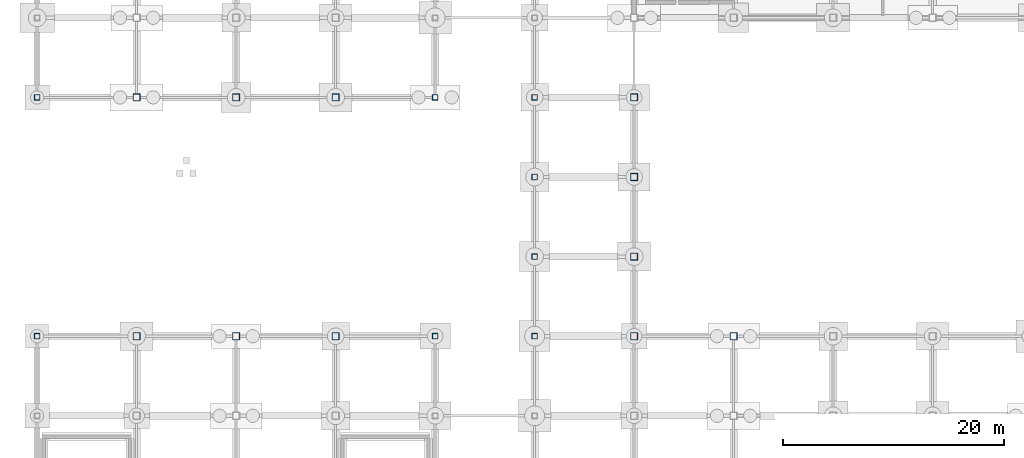
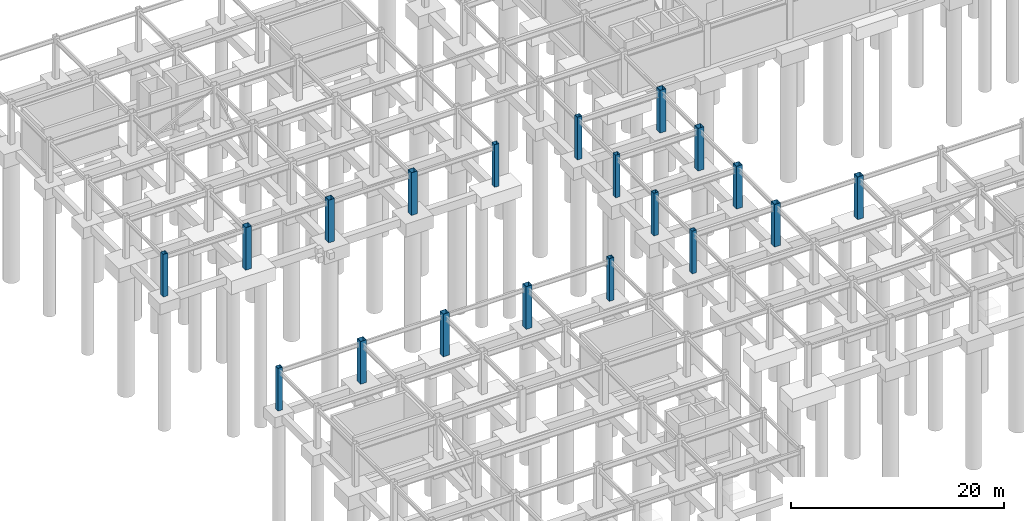
# One storey, part 12 of 28: 19 columns.
"""IFC4 building model written with IfcOpenShell, lengths in metres."""

from ifc_helpers import new_model, si_unit, direction, frame, origin, origin_2d, place, context, subcontext, project, spatial, hollow_rectangle, extrude, material, material_profile, profile_set, type_object, element, save


model = new_model("IFC4")

# Units and contexts
model_context = context("Model", 3, precision=1e-05, world=origin(), true_north=direction((0.0, 1.0)))
body_context = subcontext(model_context, "Body", "Model", "MODEL_VIEW")
ifc_project = project(units=[si_unit("LENGTHUNIT", "METRE"), si_unit("AREAUNIT", "SQUARE_METRE"), si_unit("VOLUMEUNIT", "CUBIC_METRE"), si_unit("PLANEANGLEUNIT", "RADIAN"), si_unit("MASSUNIT", "GRAM", prefix="KILO")], contexts=[model_context])

# Site, building, storey
site_placement = place(None, origin())
site = spatial("IfcSite", under=ifc_project, at=site_placement, CompositionType="ELEMENT")
building_placement = place(site_placement, origin())
building = spatial("IfcBuilding", under=site, at=building_placement, Name="Kazanami Central Library", CompositionType="ELEMENT")
storey_placement = place(building_placement, frame((0.0, 0.0, -4.89990234375)))
storey = spatial("IfcBuildingStorey", under=building, at=storey_placement, Name="B01", CompositionType="ELEMENT", Elevation=-4.89990234375)

# Columns
ifc_material = material(Name="Steel BCP325 (325 MPa)", Category="steel")
ifc_material_profile_1 = material_profile(ifc_material, hollow_rectangle(XDim=0.5, YDim=0.5, WallThickness=0.02197265625, at=origin_2d()), Name="BCP-500x500x22")
ifc_profile_set_1 = profile_set([ifc_material_profile_1], Name="Steel BCP325 (325 MPa)")
column_type_1 = type_object("IfcColumnType", Name="COL-C-P1E", PredefinedType="COLUMN", material=ifc_profile_set_1)
for number, where, z_axis, x_axis, name in (
    (1, (0.0, 36.0, 0.0), (0.0, 0.0, 1.0), (1.0, 0.0, 0.0), "Column C-P1E B01 1/F"),
    (2, (0.0, 57.60009765625, 0.0), (0.0, 0.0, 1.0), (1.0, 0.0, 0.0), "Column C-P1E B01 1/J"),
    (3, (36.0, 36.0, 0.0), (0.0, 0.0, 1.0), (1.0, 0.0, 0.0), "Column C-P1E B01 5/F"),
    (4, (36.0, 57.60009765625, 0.0), (0.0, 0.0, 1.0), (1.0, 0.0, 0.0), "Column C-P1E B01 5/J"),
    (5, (45.0, 36.0, 0.0), (0.0, 0.0, 1.0), (1.0, 0.0, 0.0), "Column C-P1E B01 6/F"),
    (6, (45.0, 43.199951171875, 0.0), (0.0, 0.0, 1.0), (1.0, 0.0, 0.0), "Column C-P1E B01 6/G"),
    (7, (45.0, 50.39990234375, 0.0), (0.0, 0.0, 1.0), (1.0, 0.0, 0.0), "Column C-P1E B01 6/H"),
    (8, (45.0, 57.60009765625, 0.0), (0.0, 0.0, 1.0), (1.0, 0.0, 0.0), "Column C-P1E B01 6/J"),
):
    element("IfcColumn", number, at=place(storey_placement, frame(where, z_axis=z_axis, x_axis=x_axis)), inside=storey, type_object=column_type_1, Name=name, PredefinedType="COLUMN", context=body_context, shape_type="SweptSolid", body=[
        extrude(hollow_rectangle(XDim=0.5, YDim=0.5, WallThickness=0.02197265625, at=origin_2d()), origin(), (0.0, 0.0, 1.0), 4.89990234375),
    ])
ifc_material_profile_2 = material_profile(ifc_material, hollow_rectangle(XDim=0.64990234375, YDim=0.64990234375, WallThickness=0.02490234375, at=origin_2d()), Name="BCP-650x650x25")
ifc_profile_set_2 = profile_set([ifc_material_profile_2], Name="Steel BCP325 (325 MPa)")
column_type_2 = type_object("IfcColumnType", Name="COL-C-P1I", PredefinedType="COLUMN", material=ifc_profile_set_2)
for number, where, z_axis, x_axis, name in (
    (9, (9.0, 36.0, 0.0), (0.0, 0.0, 1.0), (1.0, 0.0, 0.0), "Column C-P1I B01 2/F"),
    (10, (9.0, 57.60009765625, 0.0), (0.0, 0.0, 1.0), (1.0, 0.0, 0.0), "Column C-P1I B01 2/J"),
    (11, (18.0, 36.0, 0.0), (0.0, 0.0, 1.0), (1.0, 0.0, 0.0), "Column C-P1I B01 3/F"),
    (12, (18.0, 57.60009765625, 0.0), (0.0, 0.0, 1.0), (1.0, 0.0, 0.0), "Column C-P1I B01 3/J"),
    (13, (27.0, 36.0, 0.0), (0.0, 0.0, 1.0), (1.0, 0.0, 0.0), "Column C-P1I B01 4/F"),
    (14, (27.0, 57.60009765625, 0.0), (0.0, 0.0, 1.0), (1.0, 0.0, 0.0), "Column C-P1I B01 4/J"),
    (15, (54.0, 36.0, 0.0), (0.0, 0.0, 1.0), (1.0, 0.0, 0.0), "Column C-P1I B01 7/F"),
    (16, (54.0, 43.199951171875, 0.0), (0.0, 0.0, 1.0), (1.0, 0.0, 0.0), "Column C-P1I B01 7/G"),
    (17, (54.0, 50.39990234375, 0.0), (0.0, 0.0, 1.0), (1.0, 0.0, 0.0), "Column C-P1I B01 7/H"),
    (18, (54.0, 57.60009765625, 0.0), (0.0, 0.0, 1.0), (1.0, 0.0, 0.0), "Column C-P1I B01 7/J"),
    (19, (63.0, 36.0, 0.0), (0.0, 0.0, 1.0), (1.0, 0.0, 0.0), "Column C-P1I B01 8/F"),
):
    element("IfcColumn", number, at=place(storey_placement, frame(where, z_axis=z_axis, x_axis=x_axis)), inside=storey, type_object=column_type_2, Name=name, PredefinedType="COLUMN", context=body_context, shape_type="SweptSolid", body=[
        extrude(hollow_rectangle(XDim=0.64990234375, YDim=0.64990234375, WallThickness=0.02490234375, at=origin_2d()), origin(), (0.0, 0.0, 1.0), 4.89990234375),
    ])

save(model, "model.ifc")
